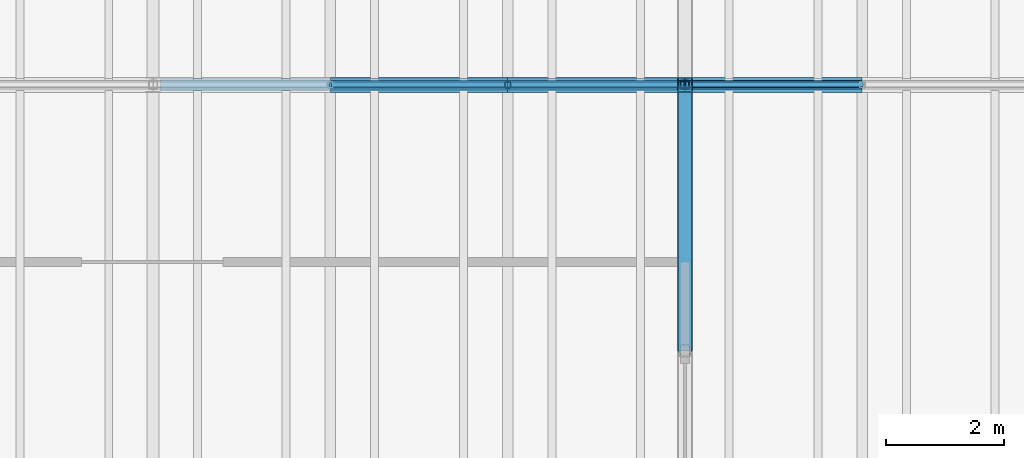
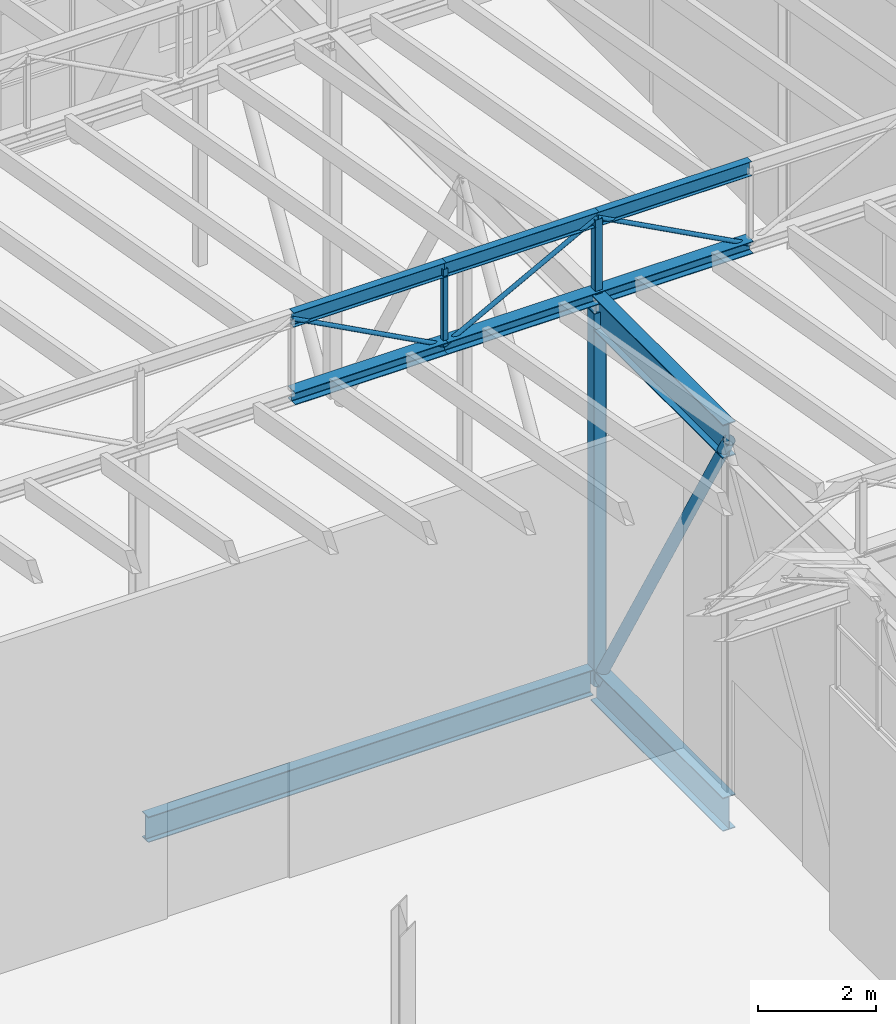
# One storey, part 34 of 90: 15 members, 1 beam.
"""IFC4 building model written with IfcOpenShell, lengths in metres."""

from ifc_helpers import new_model, si_unit, direction, frame, origin, origin_2d, place, context, subcontext, project, spatial, hollow_rectangle, hollow_circle, i_section, extrude, material, material_profile, profile_set, type_object, element, save


model = new_model("IFC4")

# Units and contexts
model_context = context("Model", 3, precision=1e-05, world=origin(), true_north=direction((0.0, 1.0)))
body_context = subcontext(model_context, "Body", "Model", "MODEL_VIEW")
ifc_project = project(units=[si_unit("LENGTHUNIT", "METRE"), si_unit("AREAUNIT", "SQUARE_METRE"), si_unit("VOLUMEUNIT", "CUBIC_METRE"), si_unit("PLANEANGLEUNIT", "RADIAN"), si_unit("MASSUNIT", "GRAM", prefix="KILO")], contexts=[model_context])

# Site, building, storey
site_placement = place(None, origin())
site = spatial("IfcSite", under=ifc_project, at=site_placement, CompositionType="ELEMENT")
building_placement = place(site_placement, origin())
building = spatial("IfcBuilding", under=site, at=building_placement, Name="Halyard Row Museum", CompositionType="ELEMENT")
storey_placement = place(building_placement, frame((0.0, 0.0, 13.39990234375)))
storey = spatial("IfcBuildingStorey", under=building, at=storey_placement, Name="L03", CompositionType="ELEMENT", Elevation=13.39990234375)

# Beam
ifc_material_1 = material(Name="Steel Grade 300", Category="steel")
ifc_material_profile_1 = material_profile(ifc_material_1, i_section(OverallWidth=0.208984375, OverallDepth=0.532958984375, WebThickness=0.01025390625, FlangeThickness=0.015625, FilletRadius=0.013916015625, at=origin_2d()), Name="530UB92.4")
ifc_profile_set_1 = profile_set([ifc_material_profile_1], Name="Steel Grade 300")
beam_type = type_object("IfcBeamType", Name="Girder beam 530UB92.4", PredefinedType="BEAM", material=ifc_profile_set_1)
beam_placement = place(storey_placement, frame((45.126953125, 27.0, -0.431396484375), z_axis=(1.0, 0.0, 0.0), x_axis=(0.0, 1.0, 0.0)))
element("IfcBeam", 1, at=beam_placement, inside=storey, type_object=beam_type, Name="Beam L03-020", PredefinedType="BEAM", context=body_context, shape_type="SweptSolid", body=[
    extrude(i_section(OverallWidth=0.208984375, OverallDepth=0.532958984375, WebThickness=0.01025390625, FlangeThickness=0.015625, FilletRadius=0.013916015625, at=origin_2d()), origin(), (0.0, 0.0, 1.0), 8.748046875),
])

# Members
ifc_material_2 = material(Name="Steel Grade 300", Category="steel")
ifc_material_profile_2 = material_profile(ifc_material_2, i_section(OverallWidth=0.25, OverallDepth=0.699951171875, WebThickness=0.010009765625, FlangeThickness=0.02001953125, at=origin_2d()), Name="700WB130")
ifc_profile_set_2 = profile_set([ifc_material_profile_2], Name="Steel Grade 300")
member_type_1 = type_object("IfcMemberType", Name="Transfer truss chord 700WB130 bottom", PredefinedType="CHORD", material=ifc_profile_set_2)
member_1_placement = place(storey_placement, frame((54.0, 22.5, -0.514892578125), z_axis=(0.0, 1.0, 0.0), x_axis=(-1.0, 0.0, 0.0)))
element("IfcMember", 2, at=member_1_placement, inside=storey, type_object=member_type_1, Name="TT2 bottom chord 6", PredefinedType="CHORD", context=body_context, shape_type="SweptSolid", body=[
    extrude(i_section(OverallWidth=0.25, OverallDepth=0.699951171875, WebThickness=0.010009765625, FlangeThickness=0.02001953125, at=origin_2d()), origin(), (0.0, 0.0, 1.0), 4.5),
])
ifc_material_3 = material(Name="Steel Grade 300", Category="steel")
ifc_material_profile_3 = material_profile(ifc_material_3, i_section(OverallWidth=0.25, OverallDepth=0.699951171875, WebThickness=0.010009765625, FlangeThickness=0.02001953125, at=origin_2d()), Name="700WB130")
ifc_profile_set_3 = profile_set([ifc_material_profile_3], Name="Steel Grade 300")
member_type_2 = type_object("IfcMemberType", Name="Transfer truss chord 700WB130 top", PredefinedType="CHORD", material=ifc_profile_set_3)
member_2_placement = place(storey_placement, frame((54.0, 22.5, 7.22998046875), z_axis=(0.0, 1.0, 0.0), x_axis=(-1.0, 0.0, 0.0)))
element("IfcMember", 3, at=member_2_placement, inside=storey, type_object=member_type_2, Name="TT2 top chord 6", PredefinedType="CHORD", context=body_context, shape_type="SweptSolid", body=[
    extrude(i_section(OverallWidth=0.25, OverallDepth=0.699951171875, WebThickness=0.010009765625, FlangeThickness=0.02001953125, at=origin_2d()), origin(), (0.0, 0.0, 1.0), 4.5),
])
ifc_material_4 = material(Name="Steel Grade C350L0", Category="steel")
ifc_material_profile_4 = material_profile(ifc_material_4, hollow_circle(Radius=0.109619140625, WallThickness=0.00830078125, at=origin_2d()), Name="219.1x8.2CHS")
ifc_profile_set_4 = profile_set([ifc_material_profile_4], Name="Steel Grade C350L0")
member_type_3 = type_object("IfcMemberType", Name="Transfer truss diagonal 219.1x8.2CHS", PredefinedType="BRACE", material=ifc_profile_set_4)
member_3_placement = place(storey_placement, frame((54.0, 22.5, 7.22998046875), z_axis=(0.0, 0.502384046634, -0.864644591545), x_axis=(-1.0, 0.0, 0.0)))
element("IfcMember", 4, at=member_3_placement, inside=storey, type_object=member_type_3, Name="TT2 diagonal 6", PredefinedType="BRACE", context=body_context, shape_type="SweptSolid", body=[
    extrude(hollow_circle(Radius=0.109619140625, WallThickness=0.00830078125, at=origin_2d()), origin(), (0.0, 0.0, 1.0), 8.957275390625),
])
ifc_material_5 = material(Name="Steel Grade C350L0", Category="steel")
ifc_material_profile_5 = material_profile(ifc_material_5, hollow_rectangle(XDim=0.25, YDim=0.25, WallThickness=0.012451171875, InnerFilletRadius=0.018798828125, OuterFilletRadius=0.03125, at=origin_2d()), Name="250x250x12.5SHS")
ifc_profile_set_5 = profile_set([ifc_material_profile_5], Name="Steel Grade C350L0")
member_type_4 = type_object("IfcMemberType", Name="Transfer truss post 250x250x12.5SHS", PredefinedType="POST", material=ifc_profile_set_5)
member_4_placement = place(storey_placement, frame((54.0, 27.0, -0.514892578125), z_axis=(0.0, 0.0, 1.0), x_axis=(1.0, 0.0, 0.0)))
element("IfcMember", 5, at=member_4_placement, inside=storey, type_object=member_type_4, Name="TT2 post 7", PredefinedType="POST", context=body_context, shape_type="SweptSolid", body=[
    extrude(hollow_rectangle(XDim=0.25, YDim=0.25, WallThickness=0.012451171875, InnerFilletRadius=0.018798828125, OuterFilletRadius=0.03125, at=origin_2d()), origin(), (0.0, 0.0, 1.0), 7.744873046875),
])
ifc_material_6 = material(Name="Steel Grade 300", Category="steel")
ifc_material_profile_6 = material_profile(ifc_material_6, i_section(OverallWidth=0.25390625, OverallDepth=0.25390625, WebThickness=0.008544921875, FlangeThickness=0.01416015625, FilletRadius=0.013916015625, at=origin_2d()), Name="250UC72.9")
ifc_profile_set_6 = profile_set([ifc_material_profile_6], Name="Steel Grade 300")
member_type_5 = type_object("IfcMemberType", Name="Valley truss bottom chord 250UC72.9", PredefinedType="CHORD", material=ifc_profile_set_6)
for number, where, z_axis, x_axis, name in (
    (6, (48.0, 27.0, 7.527099609375), (1.0, 0.0, 0.0), (0.0, 1.0, 0.0), "V1-VT2 bottom chord 3.2"),
    (7, (51.0, 27.0, 7.527099609375), (1.0, 0.0, 0.0), (0.0, 1.0, 0.0), "V1-VT2 bottom chord 3.3"),
    (8, (54.0, 27.0, 7.527099609375), (1.0, 0.0, 0.0), (0.0, 1.0, 0.0), "V1-VT2 bottom chord 4.1"),
):
    element("IfcMember", number, at=place(storey_placement, frame(where, z_axis=z_axis, x_axis=x_axis)), inside=storey, type_object=member_type_5, Name=name, PredefinedType="CHORD", context=body_context, shape_type="SweptSolid", body=[
        extrude(i_section(OverallWidth=0.25390625, OverallDepth=0.25390625, WebThickness=0.008544921875, FlangeThickness=0.01416015625, FilletRadius=0.013916015625, at=origin_2d()), origin(), (0.0, 0.0, 1.0), 3.0),
    ])
ifc_material_7 = material(Name="Steel Grade C250L0", Category="steel")
ifc_material_profile_7 = material_profile(ifc_material_7, hollow_circle(Radius=0.04443359375, WallThickness=0.0048828125, at=origin_2d()), Name="88.9x5.0CHS")
ifc_profile_set_7 = profile_set([ifc_material_profile_7], Name="Steel Grade C250L0")
member_type_6 = type_object("IfcMemberType", Name="Valley truss diagonal 88.9x5.0CHS", PredefinedType="BRACE", material=ifc_profile_set_7)
for number, where, z_axis, x_axis, name in (
    (9, (48.0, 27.0, 9.131103515625), (0.881863759518, 0.0, -0.471504305016), (0.0, 1.0, 0.0), "V1-VT2 diagonal 3.2"),
    (10, (51.0, 27.0, 7.527099609375), (0.881863759518, 0.0, 0.471504305016), (0.0, 1.0, 0.0), "V1-VT2 diagonal 3.3"),
    (11, (54.0, 27.0, 9.131103515625), (0.881863759518, 0.0, -0.471504305016), (0.0, 1.0, 0.0), "V1-VT2 diagonal 4.1"),
):
    element("IfcMember", number, at=place(storey_placement, frame(where, z_axis=z_axis, x_axis=x_axis)), inside=storey, type_object=member_type_6, Name=name, PredefinedType="BRACE", context=body_context, shape_type="SweptSolid", body=[
        extrude(hollow_circle(Radius=0.04443359375, WallThickness=0.0048828125, at=origin_2d()), origin(), (0.0, 0.0, 1.0), 3.40185546875),
    ])
ifc_material_8 = material(Name="Steel Grade C350L0", Category="steel")
ifc_material_profile_8 = material_profile(ifc_material_8, hollow_rectangle(XDim=0.10009765625, YDim=0.10009765625, WallThickness=0.006103515625, InnerFilletRadius=0.009033203125, OuterFilletRadius=0.014892578125, at=origin_2d()), Name="100x100x6.0SHS")
ifc_profile_set_8 = profile_set([ifc_material_profile_8], Name="Steel Grade C350L0")
member_type_7 = type_object("IfcMemberType", Name="Valley truss post 100x100x6.0SHS", PredefinedType="POST", material=ifc_profile_set_8)
member_5_placement = place(storey_placement, frame((51.0, 27.0, 7.527099609375), z_axis=(0.0, 0.0, 1.0), x_axis=(1.0, 0.0, 0.0)))
element("IfcMember", 12, at=member_5_placement, inside=storey, type_object=member_type_7, Name="V1-VT2 post 3.2", PredefinedType="POST", context=body_context, shape_type="SweptSolid", body=[
    extrude(hollow_rectangle(XDim=0.10009765625, YDim=0.10009765625, WallThickness=0.006103515625, InnerFilletRadius=0.009033203125, OuterFilletRadius=0.014892578125, at=origin_2d()), origin(), (0.0, 0.0, 1.0), 1.60400390625),
])
ifc_material_9 = material(Name="Steel Grade C350L0", Category="steel")
ifc_material_profile_9 = material_profile(ifc_material_9, hollow_rectangle(XDim=0.14990234375, YDim=0.14990234375, WallThickness=0.006103515625, InnerFilletRadius=0.009033203125, OuterFilletRadius=0.014892578125, at=origin_2d()), Name="150x150x6.0SHS")
ifc_profile_set_9 = profile_set([ifc_material_profile_9], Name="Steel Grade C350L0")
member_type_8 = type_object("IfcMemberType", Name="Valley truss post 150x150x6.0SHS", PredefinedType="POST", material=ifc_profile_set_9)
member_6_placement = place(storey_placement, frame((54.0, 27.0, 7.527099609375), z_axis=(0.0, 0.0, 1.0), x_axis=(1.0, 0.0, 0.0)))
element("IfcMember", 13, at=member_6_placement, inside=storey, type_object=member_type_8, Name="V1-VT2 post 3.3", PredefinedType="POST", context=body_context, shape_type="SweptSolid", body=[
    extrude(hollow_rectangle(XDim=0.14990234375, YDim=0.14990234375, WallThickness=0.006103515625, InnerFilletRadius=0.009033203125, OuterFilletRadius=0.014892578125, at=origin_2d()), origin(), (0.0, 0.0, 1.0), 1.60400390625),
])
ifc_material_10 = material(Name="Steel Grade 300", Category="steel")
ifc_material_profile_10 = material_profile(ifc_material_10, i_section(OverallWidth=0.14892578125, OverallDepth=0.298095703125, WebThickness=0.005615234375, FlangeThickness=0.008056640625, FilletRadius=0.012939453125, at=origin_2d()), Name="310UB32.0")
ifc_profile_set_10 = profile_set([ifc_material_profile_10], Name="Steel Grade 300")
member_type_9 = type_object("IfcMemberType", Name="Valley truss top chord 310UB32.0", PredefinedType="CHORD", material=ifc_profile_set_10)
for number, where, z_axis, x_axis, name in (
    (14, (48.0, 27.0, 9.131103515625), (1.0, 0.0, 0.0), (0.0, 1.0, 0.0), "V1-VT2 top chord 3.2"),
    (15, (51.0, 27.0, 9.131103515625), (1.0, 0.0, 0.0), (0.0, 1.0, 0.0), "V1-VT2 top chord 3.3"),
    (16, (54.0, 27.0, 9.131103515625), (1.0, 0.0, 0.0), (0.0, 1.0, 0.0), "V1-VT2 top chord 4.1"),
):
    element("IfcMember", number, at=place(storey_placement, frame(where, z_axis=z_axis, x_axis=x_axis)), inside=storey, type_object=member_type_9, Name=name, PredefinedType="CHORD", context=body_context, shape_type="SweptSolid", body=[
        extrude(i_section(OverallWidth=0.14892578125, OverallDepth=0.298095703125, WebThickness=0.005615234375, FlangeThickness=0.008056640625, FilletRadius=0.012939453125, at=origin_2d()), origin(), (0.0, 0.0, 1.0), 3.0),
    ])

save(model, "model.ifc")
